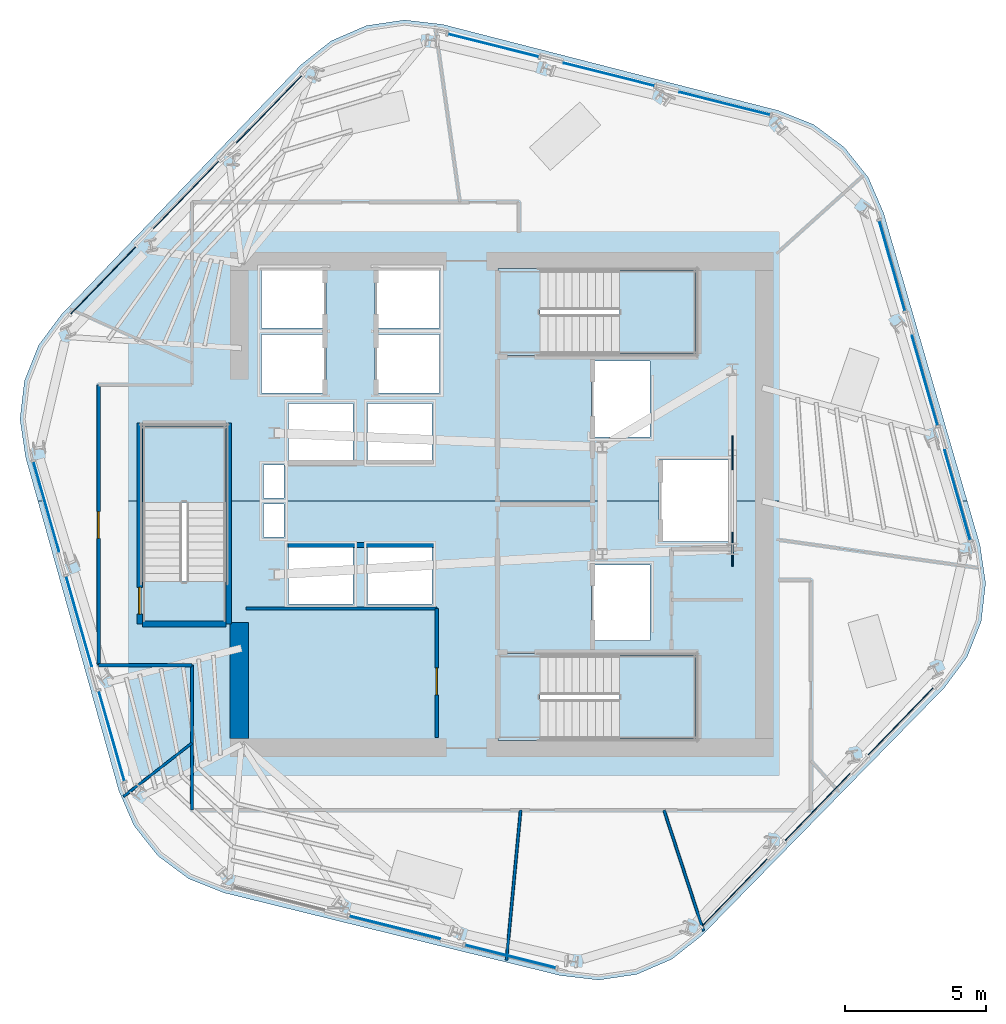
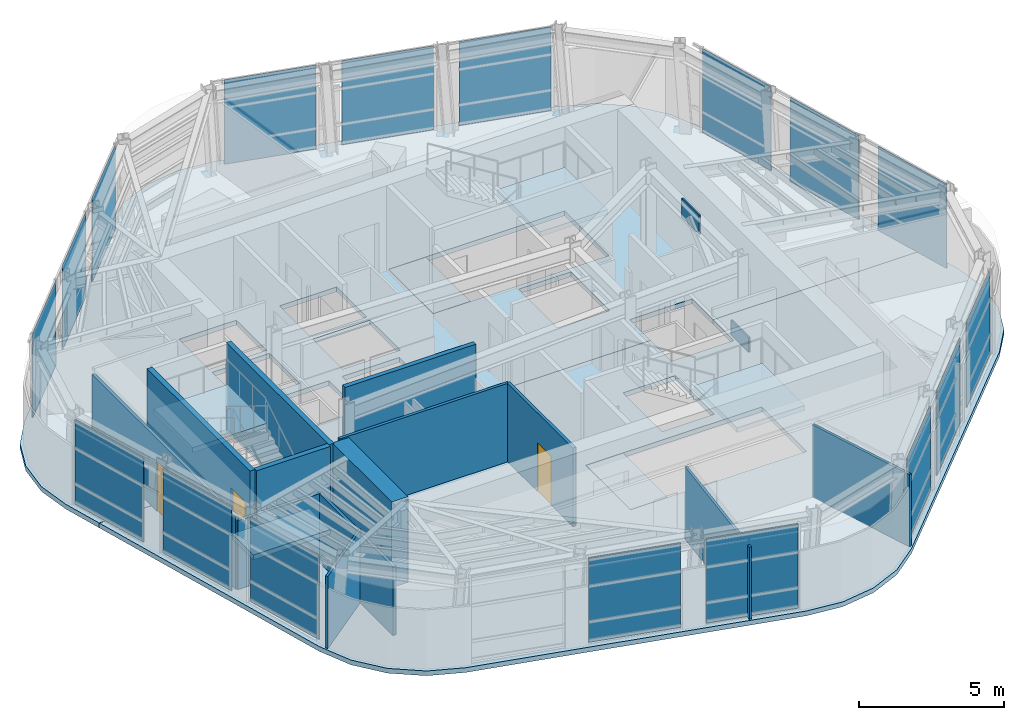
# One storey, part 6 of 13: 19 plates, 13 walls, 8 slabs, 3 doors, 3 openings, 9 elements without a shape of their own.
"""IFC4 building model written with IfcOpenShell, lengths in metres."""

from ifc_helpers import new_model, si_unit, direction, frame, frame_2d, origin, origin_2d, place, context, subcontext, project, spatial, polyline, rectangle, outline, extrude, material, layer, layer_set, type_object, element, fill, aggregate, save


model = new_model("IFC4")

# Units and contexts
model_context = context("Model", 3, precision=1e-05, world=origin(), true_north=direction((0.0, 1.0)))
body_context = subcontext(model_context, "Body", "Model", "MODEL_VIEW")
ifc_project = project(units=[si_unit("LENGTHUNIT", "METRE"), si_unit("AREAUNIT", "SQUARE_METRE"), si_unit("VOLUMEUNIT", "CUBIC_METRE"), si_unit("PLANEANGLEUNIT", "RADIAN"), si_unit("MASSUNIT", "GRAM", prefix="KILO")], contexts=[model_context])

# Site, building, storey
site_placement = place(None, origin())
site = spatial("IfcSite", under=ifc_project, at=site_placement, CompositionType="ELEMENT")
building_placement = place(site_placement, origin())
building = spatial("IfcBuilding", under=site, at=building_placement, Name="Valkerne Bourse Tower", CompositionType="ELEMENT")
storey_placement = place(building_placement, frame((0.0, 0.0, 220.800048828125)))
storey = spatial("IfcBuildingStorey", under=building, at=storey_placement, Name="L56", CompositionType="ELEMENT", Elevation=220.800048828125)

# Curtain wall, plates
ifc_material_1 = material(Name="Aluminium AA 6063-T6", Category="aluminium")
ifc_layer_1 = layer(ifc_material_1, 0.239990234375)
ifc_layer_set_1 = layer_set([ifc_layer_1], Name="Aluminium AA 6063-T6")
curtain_wall_type = type_object("IfcCurtainWallType", Name="CW-04", PredefinedType="NOTDEFINED", material=ifc_layer_set_1)
curtain_wall_1_placement = place(storey_placement, origin())
curtain_wall_1 = element("IfcCurtainWall", 1, at=curtain_wall_1_placement, inside=storey, type_object=curtain_wall_type, Name="L56 Hexagonal Stick Curtain Wall Face 1", PredefinedType="NOTDEFINED")
ifc_material_2 = material(Name="Glass IGU Low-E Double Glazed", Category="glass")
ifc_layer_2 = layer(ifc_material_2, 0.031982421875)
ifc_layer_set_2 = layer_set([ifc_layer_2], Name="Glass IGU Low-E Double Glazed")
plate_type_1 = type_object("IfcPlateType", Name="CW-PNL-IGU-32", PredefinedType="CURTAIN_PANEL", material=ifc_layer_set_2)
plate_1_placement = place(storey_placement, frame((54.670654296875, 41.04443359375, 0.030029296875), z_axis=(0.0, 0.0, 1.0), x_axis=(-0.96987236288, 0.243613627949, 0.0)))
plate_1 = element("IfcPlate", 2, at=plate_1_placement, type_object=plate_type_1, Name="CW-L56-F1 Curtain Panel 00", PredefinedType="CURTAIN_PANEL", context=body_context, shape_type="SweptSolid", body=[
    extrude(rectangle(XDim=3.2919921875, YDim=0.031982421875, at=origin_2d()), origin(), (0.0, 0.0, 1.0), 3.5400390625),
])
plate_2_placement = place(storey_placement, frame((50.58544921875, 42.070556640625, 0.030029296875), z_axis=(0.0, 0.0, 1.0), x_axis=(-0.96987236288, 0.243613627949, 0.0)))
plate_2 = element("IfcPlate", 3, at=plate_2_placement, type_object=plate_type_1, Name="CW-L56-F1 Curtain Panel 01", PredefinedType="CURTAIN_PANEL", context=body_context, shape_type="SweptSolid", body=[
    extrude(rectangle(XDim=3.2919921875, YDim=0.031982421875, at=origin_2d()), origin(), (0.0, 0.0, 1.0), 3.5400390625),
])
plate_3_placement = place(storey_placement, frame((46.50048828125, 43.0966796875, 0.030029296875), z_axis=(0.0, 0.0, 1.0), x_axis=(-0.96987236288, 0.243613627949, 0.0)))
plate_3 = element("IfcPlate", 4, at=plate_3_placement, type_object=plate_type_1, Name="CW-L56-F1 Curtain Panel 02", PredefinedType="CURTAIN_PANEL", context=body_context, shape_type="SweptSolid", body=[
    extrude(rectangle(XDim=3.2919921875, YDim=0.031982421875, at=origin_2d()), origin(), (0.0, 0.0, 1.0), 3.5400390625),
])
aggregate(curtain_wall_1, [plate_1, plate_2, plate_3])

curtain_wall_2_placement = place(storey_placement, origin())
curtain_wall_2 = element("IfcCurtainWall", 5, at=curtain_wall_2_placement, inside=storey, type_object=curtain_wall_type, Name="L56 Hexagonal Stick Curtain Wall Face 2", PredefinedType="NOTDEFINED")
plate_4_placement = place(storey_placement, frame((38.572509765625, 40.83837890625, 0.030029296875), z_axis=(0.0, 0.0, 1.0), x_axis=(-0.695920361161, -0.718118967108, 0.0)))
plate_4 = element("IfcPlate", 6, at=plate_4_placement, type_object=plate_type_1, Name="CW-L56-F2 Curtain Panel 00", PredefinedType="CURTAIN_PANEL", context=body_context, shape_type="SweptSolid", body=[
    extrude(rectangle(XDim=3.2919921875, YDim=0.031982421875, at=origin_2d()), origin(), (0.0, 0.0, 1.0), 3.5400390625),
])
plate_5_placement = place(storey_placement, frame((35.64111328125, 37.813720703125, 0.030029296875), z_axis=(0.0, 0.0, 1.0), x_axis=(-0.695908496203, -0.718130465105, 0.0)))
plate_5 = element("IfcPlate", 7, at=plate_5_placement, type_object=plate_type_1, Name="CW-L56-F2 Curtain Panel 01", PredefinedType="CURTAIN_PANEL", context=body_context, shape_type="SweptSolid", body=[
    extrude(rectangle(XDim=3.2919921875, YDim=0.031982421875, at=origin_2d()), origin(), (0.0, 0.0, 1.0), 3.5400390625),
])
plate_6_placement = place(storey_placement, frame((32.710205078125, 34.788818359375, 0.030029296875), z_axis=(0.0, 0.0, 1.0), x_axis=(-0.695920361161, -0.718118967108, 0.0)))
plate_6 = element("IfcPlate", 8, at=plate_6_placement, type_object=plate_type_1, Name="CW-L56-F2 Curtain Panel 02", PredefinedType="CURTAIN_PANEL", context=body_context, shape_type="SweptSolid", body=[
    extrude(rectangle(XDim=3.2919921875, YDim=0.031982421875, at=origin_2d()), origin(), (0.0, 0.0, 1.0), 3.5400390625),
])
aggregate(curtain_wall_2, [plate_4, plate_5, plate_6])

curtain_wall_3_placement = place(storey_placement, origin())
curtain_wall_3 = element("IfcCurtainWall", 9, at=curtain_wall_3_placement, inside=storey, type_object=curtain_wall_type, Name="L56 Hexagonal Stick Curtain Wall Face 3", PredefinedType="NOTDEFINED")
plate_7_placement = place(storey_placement, frame((30.701904296875, 26.793701171875, 0.030029296875), z_axis=(0.0, 0.0, 1.0), x_axis=(0.273959057484, -0.961741355471, 0.0)))
plate_7 = element("IfcPlate", 10, at=plate_7_placement, type_object=plate_type_1, Name="CW-L56-F3 Curtain Panel 00", PredefinedType="CURTAIN_PANEL", context=body_context, shape_type="SweptSolid", body=[
    extrude(rectangle(XDim=3.2919921875, YDim=0.031982421875, at=origin_2d()), origin(), (0.0, 0.0, 1.0), 3.5400390625),
])
plate_8_placement = place(storey_placement, frame((31.855712890625, 22.742919921875, 0.030029296875), z_axis=(0.0, 0.0, 1.0), x_axis=(0.27395280214, -0.961743137329, 0.0)))
plate_8 = element("IfcPlate", 11, at=plate_8_placement, type_object=plate_type_1, Name="CW-L56-F3 Curtain Panel 01", PredefinedType="CURTAIN_PANEL", context=body_context, shape_type="SweptSolid", body=[
    extrude(rectangle(XDim=3.2919921875, YDim=0.031982421875, at=origin_2d()), origin(), (0.0, 0.0, 1.0), 3.5400390625),
])
plate_9_placement = place(storey_placement, frame((33.009765625, 18.692138671875, 0.030029296875), z_axis=(0.0, 0.0, 1.0), x_axis=(0.273959057484, -0.961741355471, 0.0)))
plate_9 = element("IfcPlate", 12, at=plate_9_placement, type_object=plate_type_1, Name="CW-L56-F3 Curtain Panel 02", PredefinedType="CURTAIN_PANEL", context=body_context, shape_type="SweptSolid", body=[
    extrude(rectangle(XDim=3.2919921875, YDim=0.031982421875, at=origin_2d()), origin(), (0.0, 0.0, 1.0), 3.5400390625),
])
aggregate(curtain_wall_3, [plate_7, plate_8, plate_9])

curtain_wall_4_placement = place(storey_placement, origin())
curtain_wall_4 = element("IfcCurtainWall", 13, at=curtain_wall_4_placement, inside=storey, type_object=curtain_wall_type, Name="L56 Hexagonal Stick Curtain Wall Face 4", PredefinedType="NOTDEFINED")
plate_10_placement = place(storey_placement, frame((43.014404296875, 11.929443359375, 0.030029296875), z_axis=(0.0, 0.0, 1.0), x_axis=(0.96987236288, -0.243613627949, 0.0)))
plate_10 = element("IfcPlate", 14, at=plate_10_placement, type_object=plate_type_1, Name="CW-L56-F4 Curtain Panel 01", PredefinedType="CURTAIN_PANEL", context=body_context, shape_type="SweptSolid", body=[
    extrude(rectangle(XDim=3.2919921875, YDim=0.031982421875, at=origin_2d()), origin(), (0.0, 0.0, 1.0), 3.5400390625),
])
plate_11_placement = place(storey_placement, frame((47.099609375, 10.9033203125, 0.030029296875), z_axis=(0.0, 0.0, 1.0), x_axis=(0.96987236288, -0.243613627949, 0.0)))
plate_11 = element("IfcPlate", 15, at=plate_11_placement, type_object=plate_type_1, Name="CW-L56-F4 Curtain Panel 02", PredefinedType="CURTAIN_PANEL", context=body_context, shape_type="SweptSolid", body=[
    extrude(rectangle(XDim=3.2919921875, YDim=0.031982421875, at=origin_2d()), origin(), (0.0, 0.0, 1.0), 3.5400390625),
])
aggregate(curtain_wall_4, [plate_10, plate_11])

curtain_wall_5_placement = place(storey_placement, origin())
curtain_wall_5 = element("IfcCurtainWall", 16, at=curtain_wall_5_placement, inside=storey, type_object=curtain_wall_type, Name="L56 Hexagonal Stick Curtain Wall Face 5", PredefinedType="NOTDEFINED")
plate_12_placement = place(storey_placement, frame((55.027587890625, 13.16162109375, 0.030029296875), z_axis=(0.0, 0.0, 1.0), x_axis=(0.695920361161, 0.718118967108, 0.0)))
plate_12 = element("IfcPlate", 17, at=plate_12_placement, type_object=plate_type_1, Name="CW-L56-F5 Curtain Panel 00", PredefinedType="CURTAIN_PANEL", context=body_context, shape_type="SweptSolid", body=[
    extrude(rectangle(XDim=3.2919921875, YDim=0.031982421875, at=origin_2d()), origin(), (0.0, 0.0, 1.0), 3.5400390625),
])
plate_13_placement = place(storey_placement, frame((57.958740234375, 16.186279296875, 0.030029296875), z_axis=(0.0, 0.0, 1.0), x_axis=(0.695908496203, 0.718130465105, 0.0)))
plate_13 = element("IfcPlate", 18, at=plate_13_placement, type_object=plate_type_1, Name="CW-L56-F5 Curtain Panel 01", PredefinedType="CURTAIN_PANEL", context=body_context, shape_type="SweptSolid", body=[
    extrude(rectangle(XDim=3.2919921875, YDim=0.031982421875, at=origin_2d()), origin(), (0.0, 0.0, 1.0), 3.5400390625),
])
plate_14_placement = place(storey_placement, frame((60.889892578125, 19.211181640625, 0.030029296875), z_axis=(0.0, 0.0, 1.0), x_axis=(0.695920361161, 0.718118967108, 0.0)))
plate_14 = element("IfcPlate", 19, at=plate_14_placement, type_object=plate_type_1, Name="CW-L56-F5 Curtain Panel 02", PredefinedType="CURTAIN_PANEL", context=body_context, shape_type="SweptSolid", body=[
    extrude(rectangle(XDim=3.2919921875, YDim=0.031982421875, at=origin_2d()), origin(), (0.0, 0.0, 1.0), 3.5400390625),
])
aggregate(curtain_wall_5, [plate_12, plate_13, plate_14])

curtain_wall_6_placement = place(storey_placement, origin())
curtain_wall_6 = element("IfcCurtainWall", 20, at=curtain_wall_6_placement, inside=storey, type_object=curtain_wall_type, Name="L56 Hexagonal Stick Curtain Wall Face 6", PredefinedType="NOTDEFINED")
plate_15_placement = place(storey_placement, frame((62.898193359375, 27.206298828125, 0.030029296875), z_axis=(0.0, 0.0, 1.0), x_axis=(-0.273959057484, 0.961741355471, 0.0)))
plate_15 = element("IfcPlate", 21, at=plate_15_placement, type_object=plate_type_1, Name="CW-L56-F6 Curtain Panel 00", PredefinedType="CURTAIN_PANEL", context=body_context, shape_type="SweptSolid", body=[
    extrude(rectangle(XDim=3.2919921875, YDim=0.031982421875, at=origin_2d()), origin(), (0.0, 0.0, 1.0), 3.5400390625),
])
plate_16_placement = place(storey_placement, frame((61.744384765625, 31.257080078125, 0.030029296875), z_axis=(0.0, 0.0, 1.0), x_axis=(-0.27395280214, 0.961743137329, 0.0)))
plate_16 = element("IfcPlate", 22, at=plate_16_placement, type_object=plate_type_1, Name="CW-L56-F6 Curtain Panel 01", PredefinedType="CURTAIN_PANEL", context=body_context, shape_type="SweptSolid", body=[
    extrude(rectangle(XDim=3.2919921875, YDim=0.031982421875, at=origin_2d()), origin(), (0.0, 0.0, 1.0), 3.5400390625),
])
plate_17_placement = place(storey_placement, frame((60.59033203125, 35.307861328125, 0.030029296875), z_axis=(0.0, 0.0, 1.0), x_axis=(-0.273959057484, 0.961741355471, 0.0)))
plate_17 = element("IfcPlate", 23, at=plate_17_placement, type_object=plate_type_1, Name="CW-L56-F6 Curtain Panel 02", PredefinedType="CURTAIN_PANEL", context=body_context, shape_type="SweptSolid", body=[
    extrude(rectangle(XDim=3.2919921875, YDim=0.031982421875, at=origin_2d()), origin(), (0.0, 0.0, 1.0), 3.5400390625),
])
aggregate(curtain_wall_6, [plate_15, plate_16, plate_17])

# Plates
ifc_material_3 = material(Name="Steel ASTM A572 Grade 50", Category="steel")
ifc_layer_3 = layer(ifc_material_3, 0.06005859375)
ifc_layer_set_3 = layer_set([ifc_layer_3], Name="Steel ASTM A572 Grade 50")
plate_type_2 = type_object("IfcPlateType", Name="PLT-GUS-60", PredefinedType="SHEET", material=ifc_layer_set_3)
for number, where, z_axis, x_axis, name in (
    (24, (54.949951171875, 25.300048828125, -0.18017578125), (0.0, 0.0, 1.0), (0.0, 1.0, 0.0), "L56 Brace Node Gusset Plate PLT-GUS-END-L56-428"),
    (25, (54.949951171875, 28.699951171875, 2.89404296875), (0.0, 0.0, 1.0), (0.0, 1.0, 0.0), "L56 Brace Node Gusset Plate PLT-GUS-END-L56-429"),
):
    element("IfcPlate", number, at=place(storey_placement, frame(where, z_axis=z_axis, x_axis=x_axis)), inside=storey, type_object=plate_type_2, Name=name, PredefinedType="SHEET", context=body_context, shape_type="SweptSolid", body=[
        extrude(rectangle(XDim=1.199951171875, YDim=0.06005859375, at=origin_2d()), origin(), (0.0, 0.0, 1.0), 0.800048828125),
    ])

# Slabs
ifc_material_4 = material(Name="Concrete C40/50", Category="concrete")
ifc_layer_4 = layer(ifc_material_4, 0.25)
ifc_layer_set_4 = layer_set([ifc_layer_4], Name="Concrete C40/50")
slab_type_1 = type_object("IfcSlabType", Name="SLB-RMP-LND-250", PredefinedType="LANDING", material=ifc_layer_set_4)
slab_1_placement = place(storey_placement, frame((0.0, 0.0, -0.199951171875)))
element("IfcSlab", 26, at=slab_1_placement, inside=storey, type_object=slab_type_1, Name="L56 ST-1 Floor Landing Slab", PredefinedType="LANDING", context=body_context, shape_type="SweptSolid", body=[
    extrude(outline(polyline([(46.669921875, 18.5400390625), (48.14990234375, 18.5400390625), (48.14990234375, 21.610107421875), (46.669921875, 21.610107421875), (46.669921875, 18.5400390625)])), origin(), (0.0, 0.0, 1.0), 0.199951171875),
])
slab_2_placement = place(storey_placement, frame((0.0, 0.0, -0.199951171875)))
element("IfcSlab", 27, at=slab_2_placement, inside=storey, type_object=slab_type_1, Name="L56 ST-2 Floor Landing Slab", PredefinedType="LANDING", context=body_context, shape_type="SweptSolid", body=[
    extrude(outline(polyline([(46.669921875, 32.139892578125), (48.14990234375, 32.139892578125), (48.14990234375, 35.2099609375), (46.669921875, 35.2099609375), (46.669921875, 32.139892578125)])), origin(), (0.0, 0.0, 1.0), 0.199951171875),
])
slab_3_placement = place(storey_placement, frame((0.0, 0.0, -0.199951171875)))
element("IfcSlab", 28, at=slab_3_placement, inside=storey, type_object=slab_type_1, Name="L56 ST-3 Floor Landing Slab", PredefinedType="LANDING", context=body_context, shape_type="SweptSolid", body=[
    extrude(outline(polyline([(37.110107421875, 22.669921875), (37.110107421875, 24.14990234375), (34.0400390625, 24.14990234375), (34.0400390625, 22.669921875), (37.110107421875, 22.669921875)])), origin(), (0.0, 0.0, 1.0), 0.199951171875),
])

# Stair, slab
stair_type = type_object("IfcStairType", Name="ST-CORE-1400", PredefinedType="HALF_TURN_STAIR", material=ifc_material_4)
stair_1_placement = place(storey_placement, origin())
stair_1 = element("IfcStair", 29, at=stair_1_placement, inside=storey, type_object=stair_type, Name="L56 ST-1", PredefinedType="HALF_TURN_STAIR")
ifc_layer_5 = layer(ifc_material_4, 0.179931640625)
ifc_layer_set_5 = layer_set([ifc_layer_5], Name="Concrete C40/50")
slab_type_2 = type_object("IfcSlabType", Name="SLB-ST-LND-180", PredefinedType="LANDING", material=ifc_layer_set_5)
slab_4_placement = place(storey_placement, frame((0.0, 0.0, 1.699951171875)))
slab_4 = element("IfcSlab", 30, at=slab_4_placement, type_object=slab_type_2, Name="ST-1 landing 1", PredefinedType="LANDING", context=body_context, shape_type="SweptSolid", body=[
    extrude(outline(polyline([(50.949951171875, 18.60009765625), (53.64990234375, 18.60009765625), (53.64990234375, 21.550048828125), (50.949951171875, 21.550048828125), (50.949951171875, 18.60009765625)])), origin(), (0.0, 0.0, 1.0), 0.199951171875),
])
aggregate(stair_1, [slab_4])

stair_2_placement = place(storey_placement, origin())
stair_2 = element("IfcStair", 31, at=stair_2_placement, inside=storey, type_object=stair_type, Name="L56 ST-2", PredefinedType="HALF_TURN_STAIR")
slab_5_placement = place(storey_placement, frame((0.0, 0.0, 1.699951171875)))
slab_5 = element("IfcSlab", 32, at=slab_5_placement, type_object=slab_type_2, Name="ST-2 landing 1", PredefinedType="LANDING", context=body_context, shape_type="SweptSolid", body=[
    extrude(outline(polyline([(50.949951171875, 32.199951171875), (53.64990234375, 32.199951171875), (53.64990234375, 35.14990234375), (50.949951171875, 35.14990234375), (50.949951171875, 32.199951171875)])), origin(), (0.0, 0.0, 1.0), 0.199951171875),
])
aggregate(stair_2, [slab_5])

stair_3_placement = place(storey_placement, origin())
stair_3 = element("IfcStair", 33, at=stair_3_placement, inside=storey, type_object=stair_type, Name="L56 ST-3", PredefinedType="HALF_TURN_STAIR")
slab_6_placement = place(storey_placement, frame((0.0, 0.0, 1.699951171875)))
slab_6 = element("IfcSlab", 34, at=slab_6_placement, type_object=slab_type_2, Name="ST-3 landing 1", PredefinedType="LANDING", context=body_context, shape_type="SweptSolid", body=[
    extrude(outline(polyline([(37.050048828125, 26.949951171875), (37.050048828125, 29.64990234375), (34.10009765625, 29.64990234375), (34.10009765625, 26.949951171875), (37.050048828125, 26.949951171875)])), origin(), (0.0, 0.0, 1.0), 0.199951171875),
])
aggregate(stair_3, [slab_6])

# Slabs
ifc_layer_6 = layer(ifc_material_4, 0.199951171875)
ifc_layer_set_6 = layer_set([ifc_layer_6], Name="Concrete C40/50")
slab_type_3 = type_object("IfcSlabType", Name="SLB-TOW-200", PredefinedType="FLOOR", material=ifc_layer_set_6)
slab_7_placement = place(storey_placement, frame((0.0, 0.0, -0.199951171875)))
element("IfcSlab", 35, at=slab_7_placement, inside=storey, type_object=slab_type_3, Name="L56 Hexagonal Composite Floor Slab S", PredefinedType="FLOOR", context=body_context, shape_type="SweptSolid", body=[
    extrude(outline(polyline([(63.8955078125, 24.093505859375), (63.739501953125, 22.7451171875), (63.239501953125, 21.48291015625), (62.430419921875, 20.393310546875), (53.875244140625, 11.65234375), (52.8115234375, 10.80908203125), (51.565673828125, 10.27001953125), (50.222900390625, 10.07177734375), (48.874267578125, 10.227783203125), (36.997314453125, 13.1484375), (35.7353515625, 13.648193359375), (34.6455078125, 14.45751953125), (33.80224609375, 15.521484375), (33.26318359375, 16.76708984375), (30.403076171875, 27.0), (34.034912109375, 27.0), (34.034912109375, 22.6650390625), (37.114990234375, 22.6650390625), (37.114990234375, 27.0), (52.360107421875, 27.0), (52.360107421875, 25.56005859375), (54.840087890625, 25.56005859375), (54.840087890625, 27.0), (63.243408203125, 27.0), (63.697021484375, 25.4365234375), (63.8955078125, 24.093505859375)]), holes=[polyline([(41.5400390625, 25.43994140625), (39.260009765625, 25.43994140625), (39.260009765625, 23.360107421875), (41.5400390625, 23.360107421875), (41.5400390625, 25.43994140625)]), polyline([(44.340087890625, 25.43994140625), (42.06005859375, 25.43994140625), (42.06005859375, 23.360107421875), (44.340087890625, 23.360107421875), (44.340087890625, 25.43994140625)]), polyline([(39.10009765625, 26.89990234375), (38.3798828125, 26.89990234375), (38.3798828125, 25.72998046875), (39.10009765625, 25.72998046875), (39.10009765625, 26.89990234375)]), polyline([(53.675048828125, 21.614990234375), (46.6650390625, 21.614990234375), (46.6650390625, 18.534912109375), (53.675048828125, 18.534912109375), (53.675048828125, 21.614990234375)]), polyline([(52.0400390625, 24.739990234375), (49.9599609375, 24.739990234375), (49.9599609375, 22.06005859375), (52.0400390625, 22.06005859375), (52.0400390625, 24.739990234375)])]), origin(), (0.0, 0.0, 1.0), 0.199951171875),
])
slab_8_placement = place(storey_placement, frame((0.0, 0.0, -0.199951171875)))
element("IfcSlab", 36, at=slab_8_placement, inside=storey, type_object=slab_type_3, Name="L56 Hexagonal Composite Floor Slab N", PredefinedType="FLOOR", context=body_context, shape_type="SweptSolid", body=[
    extrude(outline(polyline([(29.970703125, 28.54638671875), (29.7724609375, 29.889404296875), (29.928466796875, 31.23779296875), (30.42822265625, 32.5), (31.237548828125, 33.58984375), (39.70556640625, 42.4150390625), (40.769287109375, 43.25830078125), (42.01513671875, 43.79736328125), (43.358154296875, 43.99560546875), (44.70654296875, 43.839599609375), (56.5537109375, 40.80126953125), (57.81591796875, 40.301513671875), (58.90576171875, 39.4921875), (59.7490234375, 38.428466796875), (60.2880859375, 37.1826171875), (63.243408203125, 27.0), (54.840087890625, 27.0), (54.840087890625, 28.43994140625), (52.360107421875, 28.43994140625), (52.360107421875, 27.0), (37.114990234375, 27.0), (37.114990234375, 29.675048828125), (34.034912109375, 29.675048828125), (34.034912109375, 27.0), (30.403076171875, 27.0), (29.970703125, 28.54638671875)]), holes=[polyline([(39.10009765625, 28.27001953125), (38.3798828125, 28.27001953125), (38.3798828125, 27.10009765625), (39.10009765625, 27.10009765625), (39.10009765625, 28.27001953125)]), polyline([(41.5400390625, 30.43994140625), (39.260009765625, 30.43994140625), (39.260009765625, 28.360107421875), (41.5400390625, 28.360107421875), (41.5400390625, 30.43994140625)]), polyline([(40.590087890625, 32.889892578125), (38.31005859375, 32.889892578125), (38.31005859375, 30.81005859375), (40.590087890625, 30.81005859375), (40.590087890625, 32.889892578125)]), polyline([(40.590087890625, 35.18994140625), (38.31005859375, 35.18994140625), (38.31005859375, 33.110107421875), (40.590087890625, 33.110107421875), (40.590087890625, 35.18994140625)]), polyline([(44.340087890625, 30.43994140625), (42.06005859375, 30.43994140625), (42.06005859375, 28.360107421875), (44.340087890625, 28.360107421875), (44.340087890625, 30.43994140625)]), polyline([(52.0400390625, 31.93994140625), (49.9599609375, 31.93994140625), (49.9599609375, 29.260009765625), (52.0400390625, 29.260009765625), (52.0400390625, 31.93994140625)]), polyline([(44.590087890625, 32.889892578125), (42.31005859375, 32.889892578125), (42.31005859375, 30.81005859375), (44.590087890625, 30.81005859375), (44.590087890625, 32.889892578125)]), polyline([(53.675048828125, 35.215087890625), (46.6650390625, 35.215087890625), (46.6650390625, 32.135009765625), (53.675048828125, 32.135009765625), (53.675048828125, 35.215087890625)]), polyline([(44.590087890625, 35.18994140625), (42.31005859375, 35.18994140625), (42.31005859375, 33.110107421875), (44.590087890625, 33.110107421875), (44.590087890625, 35.18994140625)])]), origin(), (0.0, 0.0, 1.0), 0.199951171875),
])

# Wall
ifc_material_5 = material(Name="Concrete C55/67", Category="concrete")
ifc_layer_7 = layer(ifc_material_5, 0.64990234375)
ifc_layer_set_7 = layer_set([ifc_layer_7], Name="Concrete C55/67")
wall_type_1 = type_object("IfcWallType", Name="W-CORE-650", PredefinedType="SHEAR", material=ifc_layer_set_7)
wall_1_placement = place(storey_placement, frame((37.52490234375, 18.60009765625, 0.0), z_axis=(0.0, 0.0, 1.0), x_axis=(0.0, 1.0, 0.0)))
element("IfcWall", 37, at=wall_1_placement, inside=storey, type_object=wall_type_1, Name="L56 Core Shear Wall WEST-S", PredefinedType="SHEAR", context=body_context, shape_type="SweptSolid", body=[
    extrude(rectangle(XDim=4.099853515625, YDim=0.64990234375, at=frame_2d((2.0498046875, 0.0))), origin(), (0.0, 0.0, 1.0), 3.599853515625),
])

# Wall, opening, door
ifc_material_6 = material(Name="Gypsum Board Steel-Stud Partition", Category="steel")
ifc_layer_8 = layer(ifc_material_6, 0.117919921875)
ifc_layer_set_8 = layer_set([ifc_layer_8], Name="Gypsum Board Steel-Stud Partition")
wall_type_2 = type_object("IfcWallType", Name="W-CORR-140", PredefinedType="PARTITIONING", material=ifc_layer_set_8)
wall_2_placement = place(storey_placement, frame((44.5, 18.64990234375, 0.0), z_axis=(0.0, 0.0, 1.0), x_axis=(0.0, 1.0, 0.0)))
wall_2 = element("IfcWall", 38, at=wall_2_placement, inside=storey, type_object=wall_type_2, Name="L56 LV7 Low-Bank East Wall", PredefinedType="PARTITIONING", context=body_context, shape_type="SweptSolid", body=[
    extrude(rectangle(XDim=4.550048828125, YDim=0.117919921875, at=frame_2d((2.27490234375, 0.0))), origin(), (0.0, 0.0, 1.0), 3.300048828125),
])
opening_1_placement = place(wall_2_placement, frame((1.5, 0.0, 0.0)))
opening_1 = element("IfcOpeningElement", 39, at=opening_1_placement, cuts=wall_2, Name="Opening D-SV-950", PredefinedType="OPENING", context=body_context, shape_type="SweptSolid", body=[
    extrude(rectangle(XDim=0.949951171875, YDim=2.050048828125, at=frame_2d((0.47509765625, 1.02490234375))), frame((0.0, 0.06884765625, 0.0), z_axis=(0.0, -1.0, 0.0), x_axis=(1.0, 0.0, 0.0)), (0.0, 0.0, 1.0), 0.137939453125),
])
ifc_material_7 = material(Name="Galvanised Painted Steel", Category="steel")
door_type_1 = type_object("IfcDoorType", Name="DR-SRV-950", OperationType="NOTDEFINED", PredefinedType="DOOR", material=ifc_material_7)
door_1_placement = place(opening_1_placement, origin())
door_1 = element("IfcDoor", 40, at=door_1_placement, inside=storey, type_object=door_type_1, Name="L56 Algorithmic Matching Office Door", OperationType="SINGLE_SWING_RIGHT", OverallHeight=2.050048828125, OverallWidth=0.949951171875, PredefinedType="DOOR", context=body_context, shape_type="SweptSolid", body=[
    extrude(rectangle(XDim=0.949951171875, YDim=2.050048828125, at=frame_2d((0.47509765625, 1.02490234375))), frame((0.0, 0.02490234375, 0.0), z_axis=(0.0, -1.0, 0.0), x_axis=(1.0, 0.0, 0.0)), (0.0, 0.0, 1.0), 0.050048828125),
])
fill(opening_1, door_1)

# Walls
wall_3_placement = place(storey_placement, frame((37.75, 23.199951171875, 0.0), z_axis=(0.0, 0.0, 1.0), x_axis=(1.0, 0.0, 0.0)))
element("IfcWall", 41, at=wall_3_placement, inside=storey, type_object=wall_type_2, Name="L56 LV7 Low-Bank North Wall", PredefinedType="PARTITIONING", context=body_context, shape_type="SweptSolid", body=[
    extrude(rectangle(XDim=6.75, YDim=0.117919921875, at=frame_2d((3.375, 0.0))), origin(), (0.0, 0.0, 1.0), 3.300048828125),
])
wall_4_placement = place(storey_placement, frame((35.85009765625, 16.080078125, 0.0), z_axis=(0.0, 0.0, 1.0), x_axis=(0.0, 1.0, 0.0)))
element("IfcWall", 42, at=wall_4_placement, inside=storey, type_object=wall_type_2, Name="L56 Corridor Enclosure Wall", PredefinedType="PARTITIONING", context=body_context, shape_type="SweptSolid", body=[
    extrude(rectangle(XDim=5.119873046875, YDim=0.117919921875, at=frame_2d((2.56005859375, 0.0))), origin(), (0.0, 0.0, 1.0), 2.896484375),
])
wall_5_placement = place(storey_placement, frame((35.85009765625, 21.199951171875, 0.0), z_axis=(0.0, 0.0, 1.0), x_axis=(-1.0, 0.0, 0.0)))
element("IfcWall", 43, at=wall_5_placement, inside=storey, type_object=wall_type_2, Name="L56 Corridor Enclosure Wall", PredefinedType="PARTITIONING", context=body_context, shape_type="SweptSolid", body=[
    extrude(rectangle(XDim=3.300048828125, YDim=0.117919921875, at=frame_2d((1.64990234375, 0.0))), origin(), (0.0, 0.0, 1.0), 2.896484375),
])

# Wall, opening, door
wall_6_placement = place(storey_placement, frame((32.550048828125, 21.199951171875, 0.0), z_axis=(0.0, 0.0, 1.0), x_axis=(0.0, 1.0, 0.0)))
wall_6 = element("IfcWall", 44, at=wall_6_placement, inside=storey, type_object=wall_type_2, Name="L56 Corridor Enclosure Wall", PredefinedType="PARTITIONING", context=body_context, shape_type="SweptSolid", body=[
    extrude(rectangle(XDim=9.900146484375, YDim=0.117919921875, at=frame_2d((4.9501953125, 0.0))), origin(), (0.0, 0.0, 1.0), 3.036376953125),
])
opening_2_placement = place(wall_6_placement, frame((4.47509765625, 0.0, 0.0)))
opening_2 = element("IfcOpeningElement", 45, at=opening_2_placement, cuts=wall_6, Name="Opening D-OF-950", PredefinedType="OPENING", context=body_context, shape_type="SweptSolid", body=[
    extrude(rectangle(XDim=0.949951171875, YDim=2.10009765625, at=frame_2d((0.47509765625, 1.050048828125))), frame((0.0, 0.06884765625, 0.0), z_axis=(0.0, -1.0, 0.0), x_axis=(1.0, 0.0, 0.0)), (0.0, 0.0, 1.0), 0.137939453125),
])
ifc_material_8 = material(Name="Architectural White Oak Timber", Category="wood")
door_type_2 = type_object("IfcDoorType", Name="DR-OFF-950", OperationType="NOTDEFINED", PredefinedType="DOOR", material=ifc_material_8)
door_2_placement = place(opening_2_placement, origin())
door_2 = element("IfcDoor", 46, at=door_2_placement, inside=storey, type_object=door_type_2, Name="L56 L56 Executive Economics Study Room 4 Door", OperationType="SINGLE_SWING_LEFT", OverallHeight=2.10009765625, OverallWidth=0.949951171875, PredefinedType="DOOR", context=body_context, shape_type="SweptSolid", body=[
    extrude(rectangle(XDim=0.949951171875, YDim=2.10009765625, at=frame_2d((0.47509765625, 1.050048828125))), frame((0.0, 0.02490234375, 0.0), z_axis=(0.0, -1.0, 0.0), x_axis=(1.0, 0.0, 0.0)), (0.0, 0.0, 1.0), 0.050048828125),
])
fill(opening_2, door_2)

# Walls
ifc_material_9 = material(Name="CMU Blockwork Masonry 200mm", Category="masonry")
ifc_layer_9 = layer(ifc_material_9, 0.179931640625)
ifc_layer_set_9 = layer_set([ifc_layer_9], Name="CMU Blockwork Masonry 200mm")
wall_type_3 = type_object("IfcWallType", Name="W-LFT-180", PredefinedType="SOLIDWALL", material=ifc_layer_set_9)
wall_7_placement = place(storey_placement, frame((39.25, 25.449951171875, 0.0), z_axis=(0.0, 0.0, 1.0), x_axis=(1.0, 0.0, 0.0)))
element("IfcWall", 47, at=wall_7_placement, inside=storey, type_object=wall_type_3, Name="L56 High-Zone South Cars Front Wall", PredefinedType="SOLIDWALL", context=body_context, shape_type="SweptSolid", body=[
    extrude(rectangle(XDim=5.199951171875, YDim=0.179931640625, at=frame_2d((2.60009765625, 0.0))), origin(), (0.0, 0.0, 1.0), 3.599853515625),
])
ifc_layer_10 = layer(ifc_material_6, 0.092041015625)
ifc_layer_set_10 = layer_set([ifc_layer_10], Name="Gypsum Board Steel-Stud Partition")
wall_type_4 = type_object("IfcWallType", Name="W-PART-115", PredefinedType="PARTITIONING", material=ifc_layer_set_10)
wall_8_placement = place(storey_placement, frame((47.46337890625, 16.074951171875, 0.0), z_axis=(0.0, 0.0, 1.0), x_axis=(-0.094108529309, -0.995561944186, 0.0)))
element("IfcWall", 48, at=wall_8_placement, inside=storey, type_object=wall_type_4, Name="L56 Suite Partition P01", PredefinedType="PARTITIONING", context=body_context, shape_type="SweptSolid", body=[
    extrude(rectangle(XDim=5.32861328125, YDim=0.092041015625, at=frame_2d((2.664306640625, 0.0))), origin(), (0.0, 0.0, 1.0), 3.036376953125),
])
wall_9_placement = place(storey_placement, frame((52.530517578125, 16.074951171875, 0.0), z_axis=(0.0, 0.0, 1.0), x_axis=(0.310663327252, -0.950520014045, 0.0)))
element("IfcWall", 49, at=wall_9_placement, inside=storey, type_object=wall_type_4, Name="L56 Suite Partition P02", PredefinedType="PARTITIONING", context=body_context, shape_type="SweptSolid", body=[
    extrude(rectangle(XDim=4.492919921875, YDim=0.092041015625, at=frame_2d((2.24658203125, 0.0))), origin(), (0.0, 0.0, 1.0), 3.036376953125),
])
wall_10_placement = place(storey_placement, frame((35.844970703125, 18.44091796875, 0.0), z_axis=(0.0, 0.0, 1.0), x_axis=(-0.788032832225, -0.615633214939, 0.0)))
element("IfcWall", 50, at=wall_10_placement, inside=storey, type_object=wall_type_4, Name="L56 Suite Partition P08", PredefinedType="PARTITIONING", context=body_context, shape_type="SweptSolid", body=[
    extrude(rectangle(XDim=3.06298828125, YDim=0.092041015625, at=frame_2d((1.531494140625, 0.0))), origin(), (0.0, 0.0, 1.0), 3.036376953125),
])

# Wall, opening, door
ifc_layer_11 = layer(ifc_material_4, 0.199951171875)
ifc_layer_set_11 = layer_set([ifc_layer_11], Name="Concrete C40/50")
wall_type_5 = type_object("IfcWallType", Name="W-SHF-200", PredefinedType="SHEAR", material=ifc_layer_set_11)
wall_11_placement = place(storey_placement, frame((34.0, 22.64990234375, 0.0), z_axis=(0.0, 0.0, 1.0), x_axis=(0.0, 1.0, 0.0)))
wall_11 = element("IfcWall", 51, at=wall_11_placement, inside=storey, type_object=wall_type_5, Name="L56 Exit Stair ST-3 Structural Shaft Wall West", PredefinedType="SHEAR", context=body_context, shape_type="SweptSolid", body=[
    extrude(rectangle(XDim=7.10009765625, YDim=0.199951171875, at=frame_2d((3.550048828125, 0.0))), origin(), (0.0, 0.0, 1.0), 3.599853515625),
])
opening_3_placement = place(wall_11_placement, frame((0.35009765625, 0.0, 0.0)))
opening_3 = element("IfcOpeningElement", 52, at=opening_3_placement, cuts=wall_11, Name="Opening D-ST-950", PredefinedType="OPENING", context=body_context, shape_type="SweptSolid", body=[
    extrude(rectangle(XDim=0.949951171875, YDim=2.10009765625, at=frame_2d((0.47509765625, 1.050048828125))), frame((0.0, 0.10986328125, 0.0), z_axis=(0.0, -1.0, 0.0), x_axis=(1.0, 0.0, 0.0)), (0.0, 0.0, 1.0), 0.219970703125),
])
door_type_3 = type_object("IfcDoorType", Name="DR-STAIR-950", OperationType="NOTDEFINED", PredefinedType="DOOR", material=ifc_material_7)
door_3_placement = place(opening_3_placement, origin())
door_3 = element("IfcDoor", 53, at=door_3_placement, inside=storey, type_object=door_type_3, Name="L56 Exit Stair ST-3 Door", OperationType="SINGLE_SWING_RIGHT", OverallHeight=2.10009765625, OverallWidth=0.949951171875, PredefinedType="DOOR", context=body_context, shape_type="SweptSolid", body=[
    extrude(rectangle(XDim=0.949951171875, YDim=2.10009765625, at=frame_2d((0.47509765625, 1.050048828125))), frame((0.0, 0.02490234375, 0.0), z_axis=(0.0, -1.0, 0.0), x_axis=(1.0, 0.0, 0.0)), (0.0, 0.0, 1.0), 0.050048828125),
])
fill(opening_3, door_3)

# Walls
wall_12_placement = place(storey_placement, frame((34.10009765625, 22.64990234375, 0.0), z_axis=(0.0, 0.0, 1.0), x_axis=(1.0, 0.0, 0.0)))
element("IfcWall", 54, at=wall_12_placement, inside=storey, type_object=wall_type_5, Name="L56 Exit Stair ST-3 Structural Shaft Wall South", PredefinedType="SHEAR", context=body_context, shape_type="SweptSolid", body=[
    extrude(rectangle(XDim=2.949951171875, YDim=0.199951171875, at=frame_2d((1.47509765625, 0.0))), origin(), (0.0, 0.0, 1.0), 3.599853515625),
])
wall_13_placement = place(storey_placement, frame((37.14990234375, 22.64990234375, 0.0), z_axis=(0.0, 0.0, 1.0), x_axis=(0.0, 1.0, 0.0)))
element("IfcWall", 55, at=wall_13_placement, inside=storey, type_object=wall_type_5, Name="L56 Exit Stair ST-3 Structural Shaft Wall East", PredefinedType="SHEAR", context=body_context, shape_type="SweptSolid", body=[
    extrude(rectangle(XDim=7.10009765625, YDim=0.199951171875, at=frame_2d((3.550048828125, 0.0))), origin(), (0.0, 0.0, 1.0), 3.599853515625),
])

save(model, "model.ifc")
